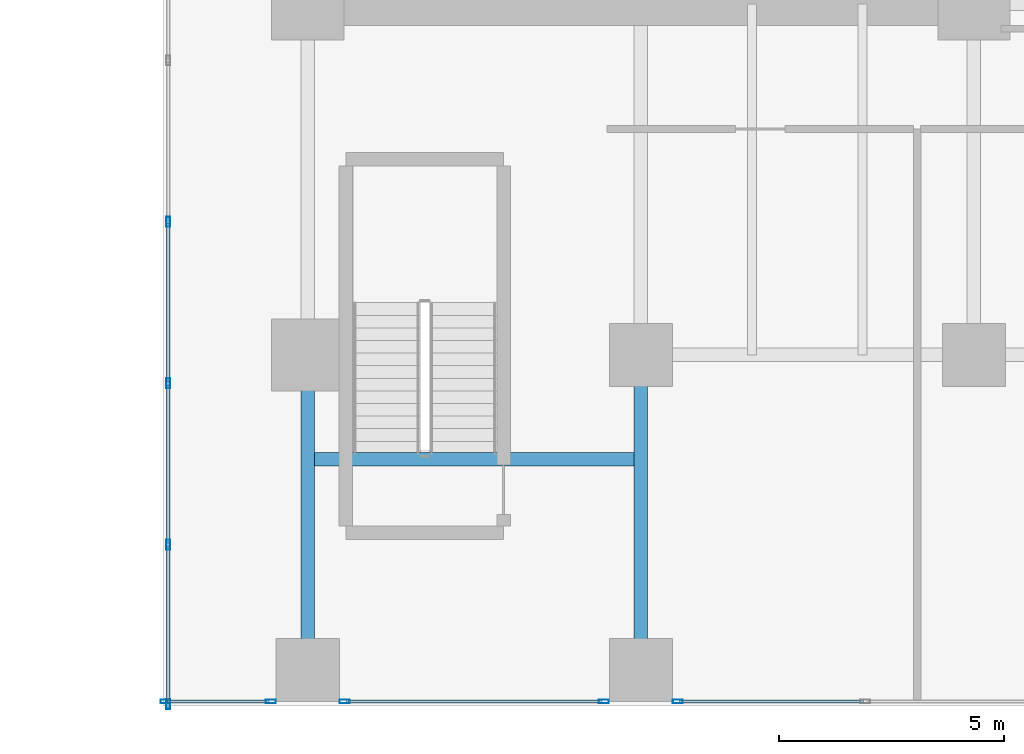
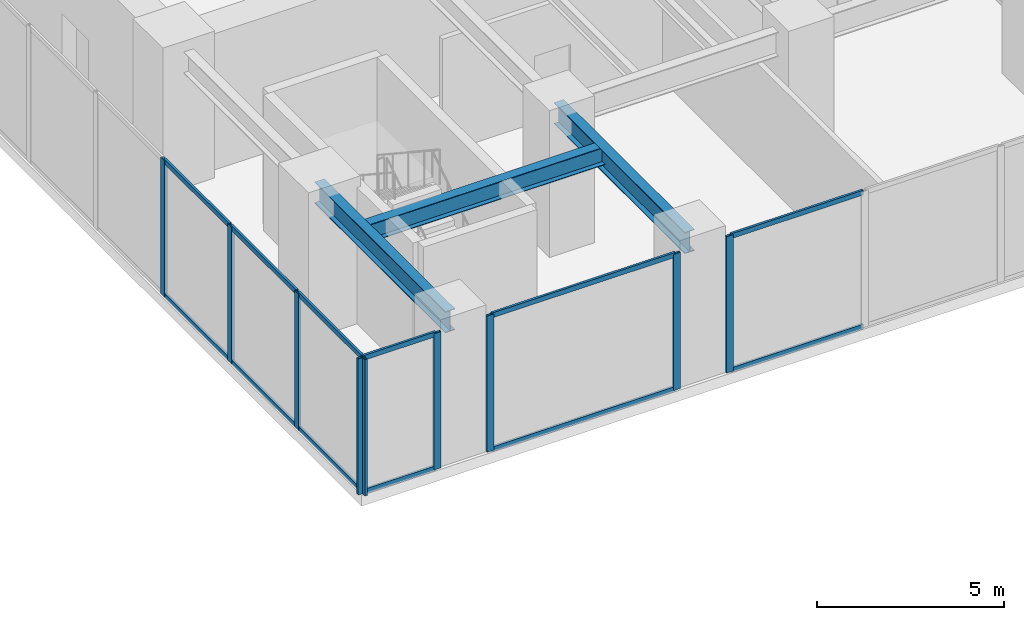
# One storey, part 8 of 32: 21 members, 3 beams, 4 elements without a shape of their own.
"""IFC4 building model written with IfcOpenShell, lengths in metres."""

from ifc_helpers import new_model, si_unit, direction, frame, origin, origin_2d, place, context, subcontext, project, spatial, hollow_rectangle, i_section, extrude, source, transform, mapped, material, layer, layer_set, material_profile, profile_set, type_object, type_shapes, element, aggregate, save


model = new_model("IFC4")

# Units and contexts
model_context = context("Model", 3, precision=1e-05, world=origin(), true_north=direction((0.0, 1.0)))
body_context = subcontext(model_context, "Body", "Model", "MODEL_VIEW")
ifc_project = project(units=[si_unit("LENGTHUNIT", "METRE"), si_unit("AREAUNIT", "SQUARE_METRE"), si_unit("VOLUMEUNIT", "CUBIC_METRE"), si_unit("PLANEANGLEUNIT", "RADIAN"), si_unit("MASSUNIT", "GRAM", prefix="KILO")], contexts=[model_context])

# Site, building, storey
site_placement = place(None, origin())
site = spatial("IfcSite", under=ifc_project, at=site_placement, CompositionType="ELEMENT")
building_placement = place(site_placement, origin())
building = spatial("IfcBuilding", under=site, at=building_placement, Name="Haelvirn Gate Laboratories", CompositionType="ELEMENT")
storey_placement = place(building_placement, frame((0.0, 0.0, 5.39990234375)))
storey = spatial("IfcBuildingStorey", under=building, at=storey_placement, Name="L02", CompositionType="ELEMENT", Elevation=5.39990234375)

# Beams
ifc_material_1 = material(Name="Steel SM355", Category="steel")
ifc_material_profile_1 = material_profile(ifc_material_1, i_section(OverallWidth=0.300048828125, OverallDepth=0.699951171875, WebThickness=0.012939453125, FlangeThickness=0.02392578125, at=origin_2d()), Name="H-700x300x13x24")
ifc_profile_set_1 = profile_set([ifc_material_profile_1], Name="Steel SM355")
beam_type_1 = type_object("IfcBeamType", Name="BM-G-700", PredefinedType="BEAM", material=ifc_profile_set_1)
shared_shape_1 = source(origin(), body_context, "Body", "SweptSolid", [
    extrude(i_section(OverallWidth=0.300048828125, OverallDepth=0.699951171875, WebThickness=0.012939453125, FlangeThickness=0.02392578125, at=origin_2d()), origin(), (0.0, 0.0, 1.0), 7.0),
])
type_shapes(beam_type_1, [shared_shape_1])
for number, where, z_axis, x_axis, name in (
    (1, (52.60009765625, 0.0, 4.10009765625), (0.0, 1.0, 0.0), (-1.0, 0.0, 0.0), "L02 Stair ST4 West Trimmer Girder"),
    (2, (60.0, 0.0, 4.10009765625), (0.0, 1.0, 0.0), (-1.0, 0.0, 0.0), "L02 Stair ST4 East Trimmer Girder"),
):
    element("IfcBeam", number, at=place(storey_placement, frame(where, z_axis=z_axis, x_axis=x_axis)), inside=storey, type_object=beam_type_1, Name=name, PredefinedType="BEAM", context=body_context, shape_type="MappedRepresentation", body=[
        mapped(shared_shape_1, transform((0.0, 0.0, 0.0), scale=1.0)),
    ])
ifc_material_profile_2 = material_profile(ifc_material_1, i_section(OverallWidth=0.300048828125, OverallDepth=0.587890625, WebThickness=0.011962890625, FlangeThickness=0.02001953125, at=origin_2d()), Name="H-588x300x12x20")
ifc_profile_set_2 = profile_set([ifc_material_profile_2], Name="Steel SM355")
beam_type_2 = type_object("IfcBeamType", Name="BM-G-588", PredefinedType="BEAM", material=ifc_profile_set_2)
shared_shape_2 = source(origin(), body_context, "Body", "SweptSolid", [
    extrude(i_section(OverallWidth=0.300048828125, OverallDepth=0.587890625, WebThickness=0.011962890625, FlangeThickness=0.02001953125, at=origin_2d()), origin(), (0.0, 0.0, 1.0), 7.39990234375),
])
type_shapes(beam_type_2, [shared_shape_2])
beam_placement = place(storey_placement, frame((52.60009765625, 4.679931640625, 4.156005859375), z_axis=(1.0, 0.0, 0.0), x_axis=(0.0, 1.0, 0.0)))
element("IfcBeam", 3, at=beam_placement, inside=storey, type_object=beam_type_2, Name="L02 Stair ST4 Landing Header", PredefinedType="BEAM", context=body_context, shape_type="MappedRepresentation", body=[
    mapped(shared_shape_2, transform((0.0, 0.0, 0.0), scale=1.0)),
])

# Curtain wall, members
ifc_material_2 = material(Name="Anodised bronze unitised aluminium & triple low-E glass", Category="aluminium")
ifc_layer = layer(ifc_material_2, 0.18798828125, Name="CW-SYS-1")
ifc_layer_set = layer_set([ifc_layer], Name="Anodised bronze unitised aluminium & triple low-E glass")
curtain_wall_type = type_object("IfcCurtainWallType", Name="CW-SYS-1", PredefinedType="NOTDEFINED", material=ifc_layer_set)
curtain_wall_1_placement = place(storey_placement, origin())
curtain_wall_1 = element("IfcCurtainWall", 4, at=curtain_wall_1_placement, inside=storey, type_object=curtain_wall_type, Name="L02 Unitised Curtain Wall CW-L02-P1-E00-1-S1", PredefinedType="NOTDEFINED")
ifc_material_3 = material(Name="Extruded aluminium 6063-T6 (anodised bronze)", Category="aluminium")
ifc_material_profile_3 = material_profile(ifc_material_3, hollow_rectangle(XDim=0.080078125, YDim=0.219970703125, WallThickness=0.006103515625, at=origin_2d()), Name="CWM-220x80x6")
ifc_profile_set_3 = profile_set([ifc_material_profile_3], Name="Extruded aluminium 6063-T6 (anodised bronze)")
member_type_1 = type_object("IfcMemberType", Name="CWM-T220", PredefinedType="MULLION", material=ifc_profile_set_3)
shared_shape_3 = source(origin(), body_context, "Body", "SweptSolid", [
    extrude(hollow_rectangle(XDim=0.080078125, YDim=0.219970703125, WallThickness=0.006103515625, at=origin_2d()), origin(), (0.0, 0.0, 1.0), 4.4501953125),
])
type_shapes(member_type_1, [shared_shape_3])
member_1_placement = place(storey_placement, frame((49.43994140625, -0.699951171875, 0.0), z_axis=(0.0, 0.0, 1.0), x_axis=(0.0, 1.0, 0.0)))
member_1 = element("IfcMember", 5, at=member_1_placement, type_object=member_type_1, Name="CW1 mullion 1", PredefinedType="MULLION", context=body_context, shape_type="MappedRepresentation", body=[
    mapped(shared_shape_3, transform((0.0, 0.0, 0.0), scale=1.0)),
])
member_2_placement = place(storey_placement, frame((51.780029296875, -0.699951171875, 0.0), z_axis=(0.0, 0.0, 1.0), x_axis=(0.0, 1.0, 0.0)))
member_2 = element("IfcMember", 6, at=member_2_placement, type_object=member_type_1, Name="CW1 mullion 2", PredefinedType="MULLION", context=body_context, shape_type="MappedRepresentation", body=[
    mapped(shared_shape_3, transform((0.0, 0.0, 0.0), scale=1.0)),
])

curtain_wall_2_placement = place(storey_placement, origin())
curtain_wall_2 = element("IfcCurtainWall", 7, at=curtain_wall_2_placement, inside=storey, type_object=curtain_wall_type, Name="L02 Unitised Curtain Wall CW-L02-P1-E00-1-S2", PredefinedType="NOTDEFINED")
member_3_placement = place(storey_placement, frame((53.419921875, -0.699951171875, 0.0), z_axis=(0.0, 0.0, 1.0), x_axis=(0.0, 1.0, 0.0)))
member_3 = element("IfcMember", 8, at=member_3_placement, type_object=member_type_1, Name="CW1 mullion 1", PredefinedType="MULLION", context=body_context, shape_type="MappedRepresentation", body=[
    mapped(shared_shape_3, transform((0.0, 0.0, 0.0), scale=1.0)),
])
member_4_placement = place(storey_placement, frame((59.179931640625, -0.699951171875, 0.0), z_axis=(0.0, 0.0, 1.0), x_axis=(0.0, 1.0, 0.0)))
member_4 = element("IfcMember", 9, at=member_4_placement, type_object=member_type_1, Name="CW1 mullion 2", PredefinedType="MULLION", context=body_context, shape_type="MappedRepresentation", body=[
    mapped(shared_shape_3, transform((0.0, 0.0, 0.0), scale=1.0)),
])

# Curtain wall, member
curtain_wall_3_placement = place(storey_placement, origin())
curtain_wall_3 = element("IfcCurtainWall", 10, at=curtain_wall_3_placement, inside=storey, type_object=curtain_wall_type, Name="L02 Unitised Curtain Wall CW-L02-P1-E00-1-S3", PredefinedType="NOTDEFINED")
member_5_placement = place(storey_placement, frame((60.820068359375, -0.699951171875, 0.0), z_axis=(0.0, 0.0, 1.0), x_axis=(0.0, 1.0, 0.0)))
member_5 = element("IfcMember", 11, at=member_5_placement, type_object=member_type_1, Name="CW1 mullion 1", PredefinedType="MULLION", context=body_context, shape_type="MappedRepresentation", body=[
    mapped(shared_shape_3, transform((0.0, 0.0, 0.0), scale=1.0)),
])

# Curtain wall, members
curtain_wall_4_placement = place(storey_placement, origin())
curtain_wall_4 = element("IfcCurtainWall", 12, at=curtain_wall_4_placement, inside=storey, type_object=curtain_wall_type, Name="L02 Unitised Curtain Wall CW-L02-P1-E07", PredefinedType="NOTDEFINED")
member_6_placement = place(storey_placement, frame((49.5, 9.95703125, 0.0), z_axis=(0.0, 0.0, 1.0), x_axis=(1.0, 0.0, 0.0)))
member_6 = element("IfcMember", 13, at=member_6_placement, type_object=member_type_1, Name="CW1 mullion 12", PredefinedType="MULLION", context=body_context, shape_type="MappedRepresentation", body=[
    mapped(shared_shape_3, transform((0.0, 0.0, 0.0), scale=1.0)),
])
member_7_placement = place(storey_placement, frame((49.5, 6.371337890625, 0.0), z_axis=(0.0, 0.0, 1.0), x_axis=(1.0, 0.0, 0.0)))
member_7 = element("IfcMember", 14, at=member_7_placement, type_object=member_type_1, Name="CW1 mullion 13", PredefinedType="MULLION", context=body_context, shape_type="MappedRepresentation", body=[
    mapped(shared_shape_3, transform((0.0, 0.0, 0.0), scale=1.0)),
])
member_8_placement = place(storey_placement, frame((49.5, 2.78564453125, 0.0), z_axis=(0.0, 0.0, 1.0), x_axis=(1.0, 0.0, 0.0)))
member_8 = element("IfcMember", 15, at=member_8_placement, type_object=member_type_1, Name="CW1 mullion 14", PredefinedType="MULLION", context=body_context, shape_type="MappedRepresentation", body=[
    mapped(shared_shape_3, transform((0.0, 0.0, 0.0), scale=1.0)),
])
member_9_placement = place(storey_placement, frame((49.5, -0.760009765625, 0.0), z_axis=(0.0, 0.0, 1.0), x_axis=(1.0, 0.0, 0.0)))
member_9 = element("IfcMember", 16, at=member_9_placement, type_object=member_type_1, Name="CW1 mullion 15", PredefinedType="MULLION", context=body_context, shape_type="MappedRepresentation", body=[
    mapped(shared_shape_3, transform((0.0, 0.0, 0.0), scale=1.0)),
])
ifc_material_profile_4 = material_profile(ifc_material_3, hollow_rectangle(XDim=0.070068359375, YDim=0.159912109375, WallThickness=0.0048828125, at=origin_2d()), Name="CWT-160x70x5")
ifc_profile_set_4 = profile_set([ifc_material_profile_4], Name="Extruded aluminium 6063-T6 (anodised bronze)")
member_type_2 = type_object("IfcMemberType", Name="CWT-T160", PredefinedType="USERDEFINED", material=ifc_profile_set_4)
shared_shape_4 = source(origin(), body_context, "Body", "SweptSolid", [
    extrude(hollow_rectangle(XDim=0.070068359375, YDim=0.159912109375, WallThickness=0.0048828125, at=origin_2d()), origin(), (0.0, 0.0, 1.0), 3.465576171875),
])
member_10_placement = place(storey_placement, frame((49.5, 2.74560546875, 0.03515625), z_axis=(0.0, -1.0, 0.0), x_axis=(1.0, 0.0, 0.0)))
member_10 = element("IfcMember", 17, at=member_10_placement, type_object=member_type_2, Name="CW1 transom 14.1", ObjectType="TRANSOM", PredefinedType="USERDEFINED", context=body_context, shape_type="MappedRepresentation", body=[
    mapped(shared_shape_4, transform((0.0, 0.0, 0.0), scale=1.0)),
])
member_11_placement = place(storey_placement, frame((49.5, 2.74560546875, 4.4150390625), z_axis=(0.0, -1.0, 0.0), x_axis=(1.0, 0.0, 0.0)))
member_11 = element("IfcMember", 18, at=member_11_placement, type_object=member_type_2, Name="CW1 transom 14.2", ObjectType="TRANSOM", PredefinedType="USERDEFINED", context=body_context, shape_type="MappedRepresentation", body=[
    mapped(shared_shape_4, transform((0.0, 0.0, 0.0), scale=1.0)),
])
shared_shape_5 = source(origin(), body_context, "Body", "SweptSolid", [
    extrude(hollow_rectangle(XDim=0.070068359375, YDim=0.159912109375, WallThickness=0.0048828125, at=origin_2d()), origin(), (0.0, 0.0, 1.0), 3.505859375),
])
member_12_placement = place(storey_placement, frame((49.5, 9.917236328125, 0.03515625), z_axis=(0.0, -1.0, 0.0), x_axis=(1.0, 0.0, 0.0)))
member_12 = element("IfcMember", 19, at=member_12_placement, type_object=member_type_2, Name="CW1 transom 12.1", ObjectType="TRANSOM", PredefinedType="USERDEFINED", context=body_context, shape_type="MappedRepresentation", body=[
    mapped(shared_shape_5, transform((0.0, 0.0, 0.0), scale=1.0)),
])
member_13_placement = place(storey_placement, frame((49.5, 9.917236328125, 4.4150390625), z_axis=(0.0, -1.0, 0.0), x_axis=(1.0, 0.0, 0.0)))
member_13 = element("IfcMember", 20, at=member_13_placement, type_object=member_type_2, Name="CW1 transom 12.2", ObjectType="TRANSOM", PredefinedType="USERDEFINED", context=body_context, shape_type="MappedRepresentation", body=[
    mapped(shared_shape_5, transform((0.0, 0.0, 0.0), scale=1.0)),
])
member_14_placement = place(storey_placement, frame((49.5, 6.33154296875, 0.03515625), z_axis=(0.0, -1.0, 0.0), x_axis=(1.0, 0.0, 0.0)))
member_14 = element("IfcMember", 21, at=member_14_placement, type_object=member_type_2, Name="CW1 transom 13.1", ObjectType="TRANSOM", PredefinedType="USERDEFINED", context=body_context, shape_type="MappedRepresentation", body=[
    mapped(shared_shape_5, transform((0.0, 0.0, 0.0), scale=1.0)),
])
member_15_placement = place(storey_placement, frame((49.5, 6.33154296875, 4.4150390625), z_axis=(0.0, -1.0, 0.0), x_axis=(1.0, 0.0, 0.0)))
member_15 = element("IfcMember", 22, at=member_15_placement, type_object=member_type_2, Name="CW1 transom 13.2", ObjectType="TRANSOM", PredefinedType="USERDEFINED", context=body_context, shape_type="MappedRepresentation", body=[
    mapped(shared_shape_5, transform((0.0, 0.0, 0.0), scale=1.0)),
])
aggregate(curtain_wall_4, [member_6, member_7, member_8, member_9, member_12, member_13, member_14, member_15, member_10, member_11])

# Member
shared_shape_6 = source(origin(), body_context, "Body", "SweptSolid", [
    extrude(hollow_rectangle(XDim=0.070068359375, YDim=0.159912109375, WallThickness=0.0048828125, at=origin_2d()), origin(), (0.0, 0.0, 1.0), 2.260009765625),
])
member_16_placement = place(storey_placement, frame((49.47998046875, -0.699951171875, 0.03515625), z_axis=(1.0, 0.0, 0.0), x_axis=(0.0, 1.0, 0.0)))
member_16 = element("IfcMember", 23, at=member_16_placement, type_object=member_type_2, Name="CW1 transom 1.1", ObjectType="TRANSOM", PredefinedType="USERDEFINED", context=body_context, shape_type="MappedRepresentation", body=[
    mapped(shared_shape_6, transform((0.0, 0.0, 0.0), scale=1.0)),
])

member_17_placement = place(storey_placement, frame((49.47998046875, -0.699951171875, 4.4150390625), z_axis=(1.0, 0.0, 0.0), x_axis=(0.0, 1.0, 0.0)))
member_17 = element("IfcMember", 24, at=member_17_placement, type_object=member_type_2, Name="CW1 transom 1.2", ObjectType="TRANSOM", PredefinedType="USERDEFINED", context=body_context, shape_type="MappedRepresentation", body=[
    mapped(shared_shape_6, transform((0.0, 0.0, 0.0), scale=1.0)),
])

aggregate(curtain_wall_1, [member_1, member_2, member_16, member_17])

shared_shape_7 = source(origin(), body_context, "Body", "SweptSolid", [
    extrude(hollow_rectangle(XDim=0.070068359375, YDim=0.159912109375, WallThickness=0.0048828125, at=origin_2d()), origin(), (0.0, 0.0, 1.0), 5.679931640625),
])
member_18_placement = place(storey_placement, frame((53.4599609375, -0.699951171875, 0.03515625), z_axis=(1.0, 0.0, 0.0), x_axis=(0.0, 1.0, 0.0)))
member_18 = element("IfcMember", 25, at=member_18_placement, type_object=member_type_2, Name="CW1 transom 1.1", ObjectType="TRANSOM", PredefinedType="USERDEFINED", context=body_context, shape_type="MappedRepresentation", body=[
    mapped(shared_shape_7, transform((0.0, 0.0, 0.0), scale=1.0)),
])

member_19_placement = place(storey_placement, frame((53.4599609375, -0.699951171875, 4.4150390625), z_axis=(1.0, 0.0, 0.0), x_axis=(0.0, 1.0, 0.0)))
member_19 = element("IfcMember", 26, at=member_19_placement, type_object=member_type_2, Name="CW1 transom 1.2", ObjectType="TRANSOM", PredefinedType="USERDEFINED", context=body_context, shape_type="MappedRepresentation", body=[
    mapped(shared_shape_7, transform((0.0, 0.0, 0.0), scale=1.0)),
])

aggregate(curtain_wall_2, [member_3, member_4, member_18, member_19])

shared_shape_8 = source(origin(), body_context, "Body", "SweptSolid", [
    extrude(hollow_rectangle(XDim=0.070068359375, YDim=0.159912109375, WallThickness=0.0048828125, at=origin_2d()), origin(), (0.0, 0.0, 1.0), 4.086669921875),
])
type_shapes(member_type_2, [shared_shape_4, shared_shape_5, shared_shape_6, shared_shape_7, shared_shape_8])
member_20_placement = place(storey_placement, frame((60.860107421875, -0.699951171875, 0.03515625), z_axis=(1.0, 0.0, 0.0), x_axis=(0.0, 1.0, 0.0)))
member_20 = element("IfcMember", 27, at=member_20_placement, type_object=member_type_2, Name="CW1 transom 1.1", ObjectType="TRANSOM", PredefinedType="USERDEFINED", context=body_context, shape_type="MappedRepresentation", body=[
    mapped(shared_shape_8, transform((0.0, 0.0, 0.0), scale=1.0)),
])

member_21_placement = place(storey_placement, frame((60.860107421875, -0.699951171875, 4.4150390625), z_axis=(1.0, 0.0, 0.0), x_axis=(0.0, 1.0, 0.0)))
member_21 = element("IfcMember", 28, at=member_21_placement, type_object=member_type_2, Name="CW1 transom 1.2", ObjectType="TRANSOM", PredefinedType="USERDEFINED", context=body_context, shape_type="MappedRepresentation", body=[
    mapped(shared_shape_8, transform((0.0, 0.0, 0.0), scale=1.0)),
])

aggregate(curtain_wall_3, [member_5, member_20, member_21])

save(model, "model.ifc")
